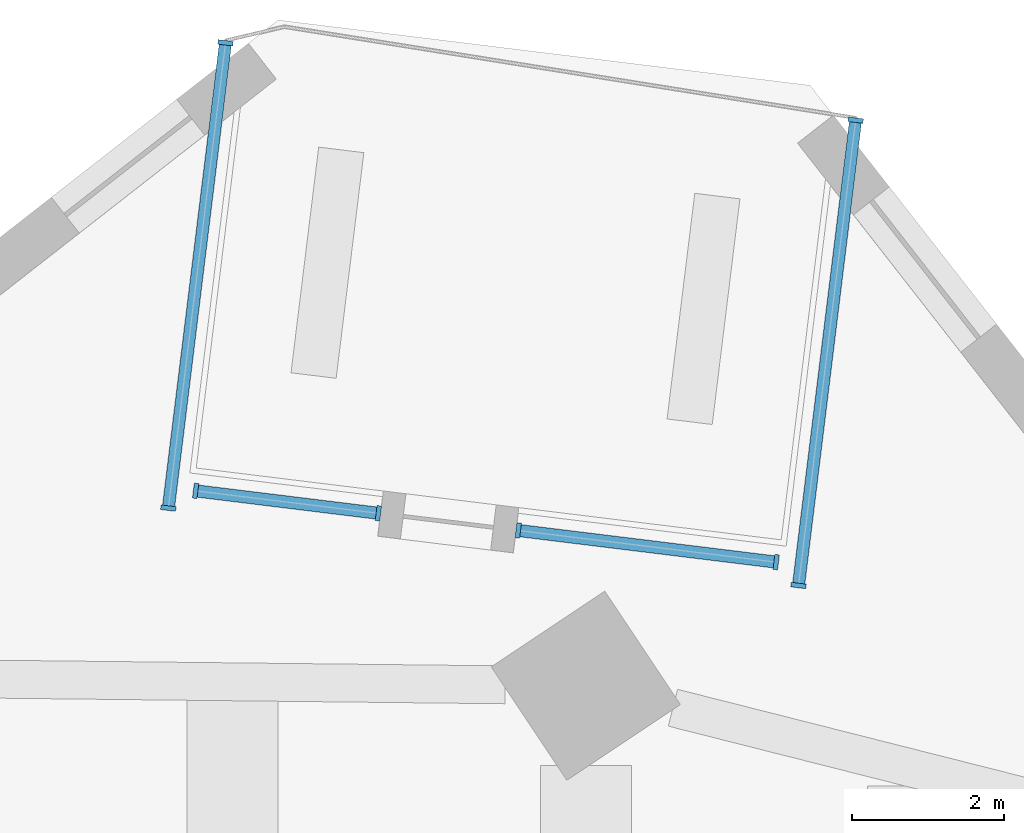
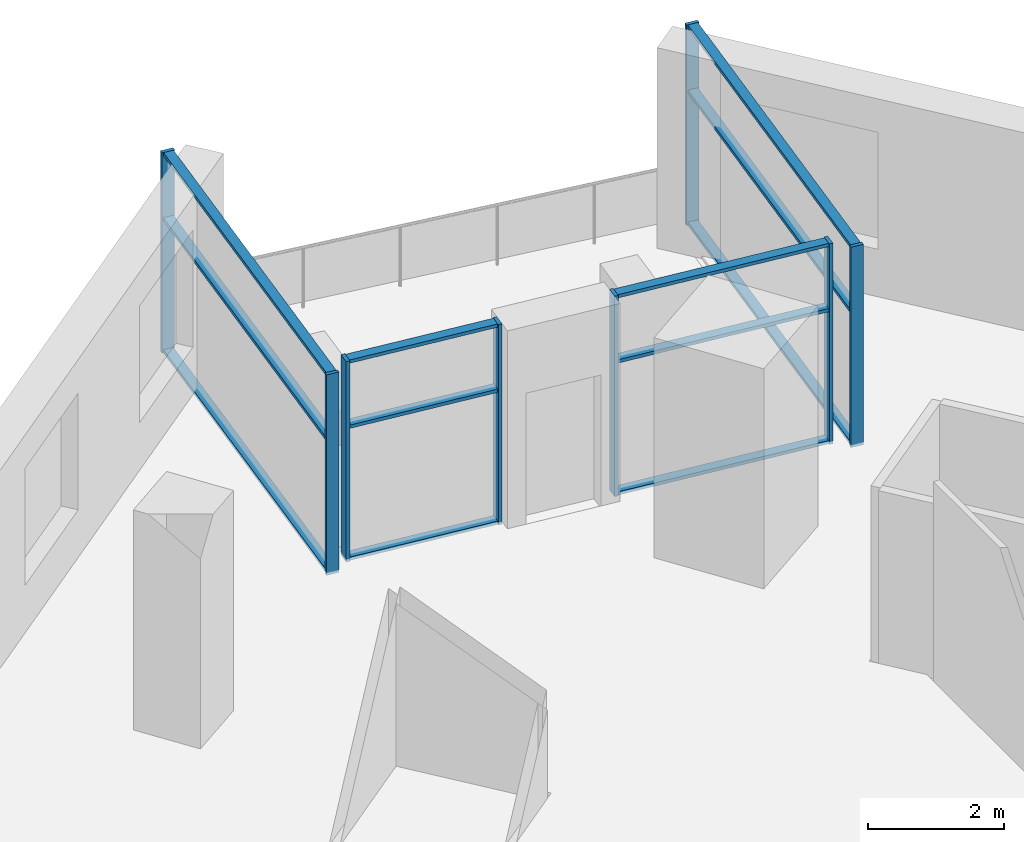
# One storey, part 2 of 11: 20 members, 4 elements without a shape of their own.
"""IFC4 building model written with IfcOpenShell, lengths in metres."""

from ifc_helpers import new_model, si_unit, direction, frame, origin, origin_2d, place, context, subcontext, project, spatial, rectangle, extrude, material, material_profile, profile_set, type_object, element, aggregate, save


model = new_model("IFC4")

# Units and contexts
model_context = context("Model", 3, precision=1e-05, world=origin(), true_north=direction((0.0, 1.0)))
body_context = subcontext(model_context, "Body", "Model", "MODEL_VIEW")
ifc_project = project(units=[si_unit("LENGTHUNIT", "METRE"), si_unit("AREAUNIT", "SQUARE_METRE"), si_unit("VOLUMEUNIT", "CUBIC_METRE"), si_unit("PLANEANGLEUNIT", "RADIAN"), si_unit("MASSUNIT", "GRAM", prefix="KILO")], contexts=[model_context])

# Site, building, storey
site_placement = place(None, origin())
site = spatial("IfcSite", under=ifc_project, at=site_placement, CompositionType="ELEMENT")
building_placement = place(site_placement, origin())
building = spatial("IfcBuilding", under=site, at=building_placement, Name="Dilmun Exchange Tower", CompositionType="ELEMENT")
storey_placement = place(building_placement, frame((0.0, 0.0, 175.699951171875)))
storey = spatial("IfcBuildingStorey", under=building, at=storey_placement, Name="L41", CompositionType="ELEMENT", Elevation=175.699951171875)

# Curtain wall, members
ifc_material_1 = material(Name="Anodised aluminium and clear glass", Category="aluminium")
curtain_wall_type = type_object("IfcCurtainWallType", Name="Garden corner glazing", PredefinedType="NOTDEFINED", material=ifc_material_1)
curtain_wall_1_placement = place(storey_placement, origin())
curtain_wall_1 = element("IfcCurtainWall", 1, at=curtain_wall_1_placement, inside=storey, type_object=curtain_wall_type, Name="Garden corner glazing run GC1.1", PredefinedType="NOTDEFINED")
ifc_material_2 = material(Name="Anodised aluminium", Category="aluminium")
ifc_material_profile_1 = material_profile(ifc_material_2, rectangle(XDim=0.199951171875, YDim=0.06005859375, at=origin_2d()), Name="AL 60x200")
ifc_profile_set_1 = profile_set([ifc_material_profile_1], Name="Anodised aluminium")
member_type_1 = type_object("IfcMemberType", Name="Garden corner glazing mullion 60 x 200", PredefinedType="MULLION", material=ifc_profile_set_1)
member_1_placement = place(storey_placement, frame((11.067138671875, 34.872802734375, 0.0), z_axis=(0.0, 0.0, 1.0), x_axis=(0.992545222089, -0.121876913761, 0.0)))
member_1 = element("IfcMember", 2, at=member_1_placement, type_object=member_type_1, Name="GC1.1 mullion 1", PredefinedType="MULLION", context=body_context, shape_type="SweptSolid", body=[
    extrude(rectangle(XDim=0.199951171875, YDim=0.06005859375, at=origin_2d()), origin(), (0.0, 0.0, 1.0), 3.60009765625),
])
member_2_placement = place(storey_placement, frame((10.313232421875, 28.732666015625, 0.0), z_axis=(0.0, 0.0, 1.0), x_axis=(0.992545222089, -0.121876913761, 0.0)))
member_2 = element("IfcMember", 3, at=member_2_placement, type_object=member_type_1, Name="GC1.1 mullion 2", PredefinedType="MULLION", context=body_context, shape_type="SweptSolid", body=[
    extrude(rectangle(XDim=0.199951171875, YDim=0.06005859375, at=origin_2d()), origin(), (0.0, 0.0, 1.0), 3.60009765625),
])

curtain_wall_2_placement = place(storey_placement, origin())
curtain_wall_2 = element("IfcCurtainWall", 4, at=curtain_wall_2_placement, inside=storey, type_object=curtain_wall_type, Name="Garden corner glazing run GC2.1", PredefinedType="NOTDEFINED")
member_3_placement = place(storey_placement, frame((10.0185546875, 29.040771484375, 0.0), z_axis=(0.0, 0.0, 1.0), x_axis=(-0.121893282904, -0.992543211947, 0.0)))
member_3 = element("IfcMember", 5, at=member_3_placement, type_object=member_type_1, Name="GC2.1 mullion 1", PredefinedType="MULLION", context=body_context, shape_type="SweptSolid", body=[
    extrude(rectangle(XDim=0.199951171875, YDim=0.06005859375, at=origin_2d()), origin(), (0.0, 0.0, 1.0), 3.60009765625),
])
member_4_placement = place(storey_placement, frame((6.614990234375, 29.458740234375, 0.0), z_axis=(0.0, 0.0, 1.0), x_axis=(-0.121893282904, -0.992543211947, 0.0)))
member_4 = element("IfcMember", 6, at=member_4_placement, type_object=member_type_1, Name="GC2.1 mullion 2", PredefinedType="MULLION", context=body_context, shape_type="SweptSolid", body=[
    extrude(rectangle(XDim=0.199951171875, YDim=0.06005859375, at=origin_2d()), origin(), (0.0, 0.0, 1.0), 3.60009765625),
])

curtain_wall_3_placement = place(storey_placement, origin())
curtain_wall_3 = element("IfcCurtainWall", 7, at=curtain_wall_3_placement, inside=storey, type_object=curtain_wall_type, Name="Garden corner glazing run GC2.3", PredefinedType="NOTDEFINED")
member_5_placement = place(storey_placement, frame((4.768798828125, 29.685302734375, 0.0), z_axis=(0.0, 0.0, 1.0), x_axis=(-0.121893384625, -0.992543199455, 0.0)))
member_5 = element("IfcMember", 8, at=member_5_placement, type_object=member_type_1, Name="GC2.3 mullion 1", PredefinedType="MULLION", context=body_context, shape_type="SweptSolid", body=[
    extrude(rectangle(XDim=0.199951171875, YDim=0.06005859375, at=origin_2d()), origin(), (0.0, 0.0, 1.0), 3.60009765625),
])
member_6_placement = place(storey_placement, frame((2.35791015625, 29.9814453125, 0.0), z_axis=(0.0, 0.0, 1.0), x_axis=(-0.121893384625, -0.992543199455, 0.0)))
member_6 = element("IfcMember", 9, at=member_6_placement, type_object=member_type_1, Name="GC2.3 mullion 2", PredefinedType="MULLION", context=body_context, shape_type="SweptSolid", body=[
    extrude(rectangle(XDim=0.199951171875, YDim=0.06005859375, at=origin_2d()), origin(), (0.0, 0.0, 1.0), 3.60009765625),
])

curtain_wall_4_placement = place(storey_placement, origin())
curtain_wall_4 = element("IfcCurtainWall", 10, at=curtain_wall_4_placement, inside=storey, type_object=curtain_wall_type, Name="Garden corner glazing run GC3.1", PredefinedType="NOTDEFINED")
member_7_placement = place(storey_placement, frame((1.99755859375, 29.753662109375, 0.0), z_axis=(0.0, 0.0, 1.0), x_axis=(-0.992547158556, 0.12186114246, 0.0)))
member_7 = element("IfcMember", 11, at=member_7_placement, type_object=member_type_1, Name="GC3.1 mullion 1", PredefinedType="MULLION", context=body_context, shape_type="SweptSolid", body=[
    extrude(rectangle(XDim=0.199951171875, YDim=0.06005859375, at=origin_2d()), origin(), (0.0, 0.0, 1.0), 3.60009765625),
])
member_8_placement = place(storey_placement, frame((2.75146484375, 35.89404296875, 0.0), z_axis=(0.0, 0.0, 1.0), x_axis=(-0.992547158556, 0.12186114246, 0.0)))
member_8 = element("IfcMember", 12, at=member_8_placement, type_object=member_type_1, Name="GC3.1 mullion 2", PredefinedType="MULLION", context=body_context, shape_type="SweptSolid", body=[
    extrude(rectangle(XDim=0.199951171875, YDim=0.06005859375, at=origin_2d()), origin(), (0.0, 0.0, 1.0), 3.60009765625),
])

# Member
ifc_material_profile_2 = material_profile(ifc_material_2, rectangle(XDim=0.159912109375, YDim=0.06005859375, at=origin_2d()), Name="AL 60x160")
ifc_profile_set_2 = profile_set([ifc_material_profile_2], Name="Anodised aluminium")
member_type_2 = type_object("IfcMemberType", Name="Garden corner glazing transom 60 x 160", PredefinedType="USERDEFINED", material=ifc_profile_set_2)
member_9_placement = place(storey_placement, frame((11.0634765625, 34.84326171875, 0.030029296875), z_axis=(-0.121861685747, -0.992547091854, 0.0), x_axis=(0.992547091854, -0.121861685747, 0.0)))
member_9 = element("IfcMember", 13, at=member_9_placement, type_object=member_type_2, Name="GC1.1 transom 1.1", ObjectType="TRANSOM", PredefinedType="USERDEFINED", context=body_context, shape_type="SweptSolid", body=[
    extrude(rectangle(XDim=0.159912109375, YDim=0.06005859375, at=origin_2d()), origin(), (0.0, 0.0, 1.0), 6.12646484375),
])

member_10_placement = place(storey_placement, frame((11.0634765625, 34.84326171875, 2.400146484375), z_axis=(-0.121861685747, -0.992547091854, 0.0), x_axis=(0.992547091854, -0.121861685747, 0.0)))
member_10 = element("IfcMember", 14, at=member_10_placement, type_object=member_type_2, Name="GC1.1 transom 1.2", ObjectType="TRANSOM", PredefinedType="USERDEFINED", context=body_context, shape_type="SweptSolid", body=[
    extrude(rectangle(XDim=0.159912109375, YDim=0.06005859375, at=origin_2d()), origin(), (0.0, 0.0, 1.0), 6.12646484375),
])

member_11_placement = place(storey_placement, frame((11.0634765625, 34.84326171875, 3.570068359375), z_axis=(-0.121861685747, -0.992547091854, 0.0), x_axis=(0.992547091854, -0.121861685747, 0.0)))
member_11 = element("IfcMember", 15, at=member_11_placement, type_object=member_type_2, Name="GC1.1 transom 1.3", ObjectType="TRANSOM", PredefinedType="USERDEFINED", context=body_context, shape_type="SweptSolid", body=[
    extrude(rectangle(XDim=0.159912109375, YDim=0.06005859375, at=origin_2d()), origin(), (0.0, 0.0, 1.0), 6.12646484375),
])

aggregate(curtain_wall_1, [member_1, member_2, member_9, member_10, member_11])

member_12_placement = place(storey_placement, frame((9.98876953125, 29.04443359375, 0.030029296875), z_axis=(-0.992544224284, 0.121885039443, 0.0), x_axis=(-0.121885039443, -0.992544224284, 0.0)))
member_12 = element("IfcMember", 16, at=member_12_placement, type_object=member_type_2, Name="GC2.1 transom 1.1", ObjectType="TRANSOM", PredefinedType="USERDEFINED", context=body_context, shape_type="SweptSolid", body=[
    extrude(rectangle(XDim=0.159912109375, YDim=0.06005859375, at=origin_2d()), origin(), (0.0, 0.0, 1.0), 3.369140625),
])

member_13_placement = place(storey_placement, frame((9.98876953125, 29.04443359375, 2.400146484375), z_axis=(-0.992544224284, 0.121885039443, 0.0), x_axis=(-0.121885039443, -0.992544224284, 0.0)))
member_13 = element("IfcMember", 17, at=member_13_placement, type_object=member_type_2, Name="GC2.1 transom 1.2", ObjectType="TRANSOM", PredefinedType="USERDEFINED", context=body_context, shape_type="SweptSolid", body=[
    extrude(rectangle(XDim=0.159912109375, YDim=0.06005859375, at=origin_2d()), origin(), (0.0, 0.0, 1.0), 3.369140625),
])

member_14_placement = place(storey_placement, frame((9.98876953125, 29.04443359375, 3.570068359375), z_axis=(-0.992544224284, 0.121885039443, 0.0), x_axis=(-0.121885039443, -0.992544224284, 0.0)))
member_14 = element("IfcMember", 18, at=member_14_placement, type_object=member_type_2, Name="GC2.1 transom 1.3", ObjectType="TRANSOM", PredefinedType="USERDEFINED", context=body_context, shape_type="SweptSolid", body=[
    extrude(rectangle(XDim=0.159912109375, YDim=0.06005859375, at=origin_2d()), origin(), (0.0, 0.0, 1.0), 3.369140625),
])

aggregate(curtain_wall_2, [member_3, member_4, member_12, member_13, member_14])

member_15_placement = place(storey_placement, frame((4.739013671875, 29.68896484375, 0.030029296875), z_axis=(-0.992540392632, 0.121916237616, 0.0), x_axis=(-0.121916237616, -0.992540392632, 0.0)))
member_15 = element("IfcMember", 19, at=member_15_placement, type_object=member_type_2, Name="GC2.3 transom 1.1", ObjectType="TRANSOM", PredefinedType="USERDEFINED", context=body_context, shape_type="SweptSolid", body=[
    extrude(rectangle(XDim=0.159912109375, YDim=0.06005859375, at=origin_2d()), origin(), (0.0, 0.0, 1.0), 2.368896484375),
])

member_16_placement = place(storey_placement, frame((4.739013671875, 29.68896484375, 2.400146484375), z_axis=(-0.992540392632, 0.121916237616, 0.0), x_axis=(-0.121916237616, -0.992540392632, 0.0)))
member_16 = element("IfcMember", 20, at=member_16_placement, type_object=member_type_2, Name="GC2.3 transom 1.2", ObjectType="TRANSOM", PredefinedType="USERDEFINED", context=body_context, shape_type="SweptSolid", body=[
    extrude(rectangle(XDim=0.159912109375, YDim=0.06005859375, at=origin_2d()), origin(), (0.0, 0.0, 1.0), 2.368896484375),
])

member_17_placement = place(storey_placement, frame((4.739013671875, 29.68896484375, 3.570068359375), z_axis=(-0.992540392632, 0.121916237616, 0.0), x_axis=(-0.121916237616, -0.992540392632, 0.0)))
member_17 = element("IfcMember", 21, at=member_17_placement, type_object=member_type_2, Name="GC2.3 transom 1.3", ObjectType="TRANSOM", PredefinedType="USERDEFINED", context=body_context, shape_type="SweptSolid", body=[
    extrude(rectangle(XDim=0.159912109375, YDim=0.06005859375, at=origin_2d()), origin(), (0.0, 0.0, 1.0), 2.368896484375),
])

aggregate(curtain_wall_3, [member_5, member_6, member_15, member_16, member_17])

member_18_placement = place(storey_placement, frame((2.001220703125, 29.783447265625, 0.030029296875), z_axis=(0.121861685747, 0.992547091854, 0.0), x_axis=(-0.992547091854, 0.121861685747, 0.0)))
member_18 = element("IfcMember", 22, at=member_18_placement, type_object=member_type_2, Name="GC3.1 transom 1.1", ObjectType="TRANSOM", PredefinedType="USERDEFINED", context=body_context, shape_type="SweptSolid", body=[
    extrude(rectangle(XDim=0.159912109375, YDim=0.06005859375, at=origin_2d()), origin(), (0.0, 0.0, 1.0), 6.12646484375),
])

member_19_placement = place(storey_placement, frame((2.001220703125, 29.783447265625, 2.400146484375), z_axis=(0.121861685747, 0.992547091854, 0.0), x_axis=(-0.992547091854, 0.121861685747, 0.0)))
member_19 = element("IfcMember", 23, at=member_19_placement, type_object=member_type_2, Name="GC3.1 transom 1.2", ObjectType="TRANSOM", PredefinedType="USERDEFINED", context=body_context, shape_type="SweptSolid", body=[
    extrude(rectangle(XDim=0.159912109375, YDim=0.06005859375, at=origin_2d()), origin(), (0.0, 0.0, 1.0), 6.12646484375),
])

member_20_placement = place(storey_placement, frame((2.001220703125, 29.783447265625, 3.570068359375), z_axis=(0.121861685747, 0.992547091854, 0.0), x_axis=(-0.992547091854, 0.121861685747, 0.0)))
member_20 = element("IfcMember", 24, at=member_20_placement, type_object=member_type_2, Name="GC3.1 transom 1.3", ObjectType="TRANSOM", PredefinedType="USERDEFINED", context=body_context, shape_type="SweptSolid", body=[
    extrude(rectangle(XDim=0.159912109375, YDim=0.06005859375, at=origin_2d()), origin(), (0.0, 0.0, 1.0), 6.12646484375),
])

aggregate(curtain_wall_4, [member_7, member_8, member_18, member_19, member_20])

save(model, "model.ifc")
